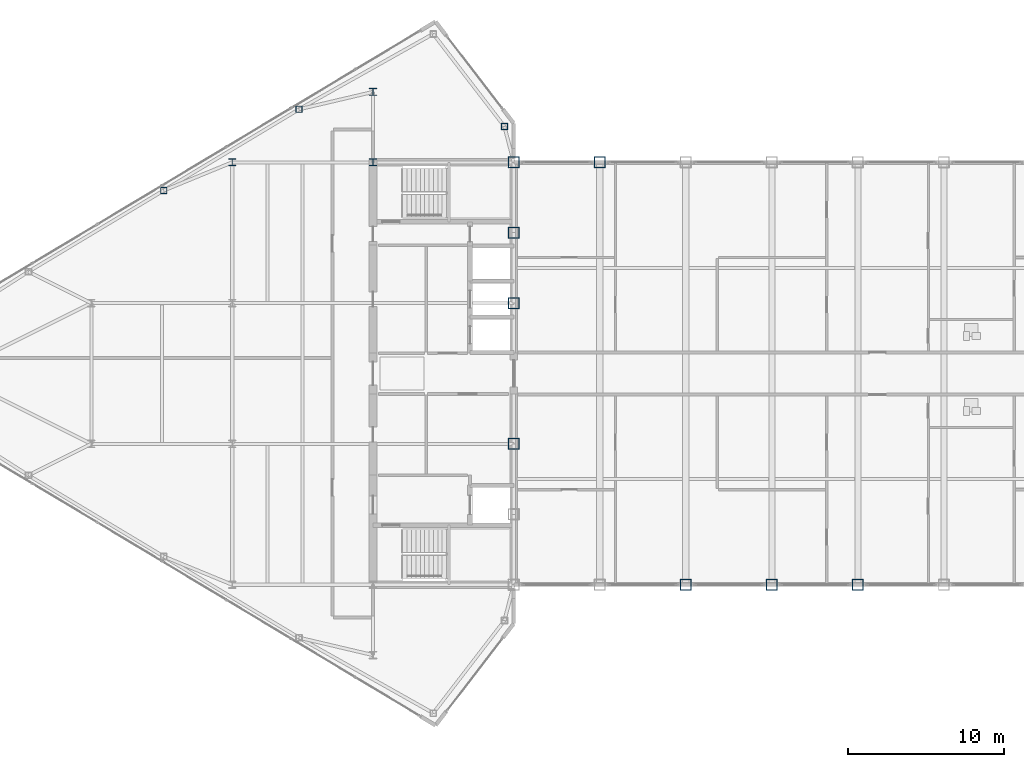
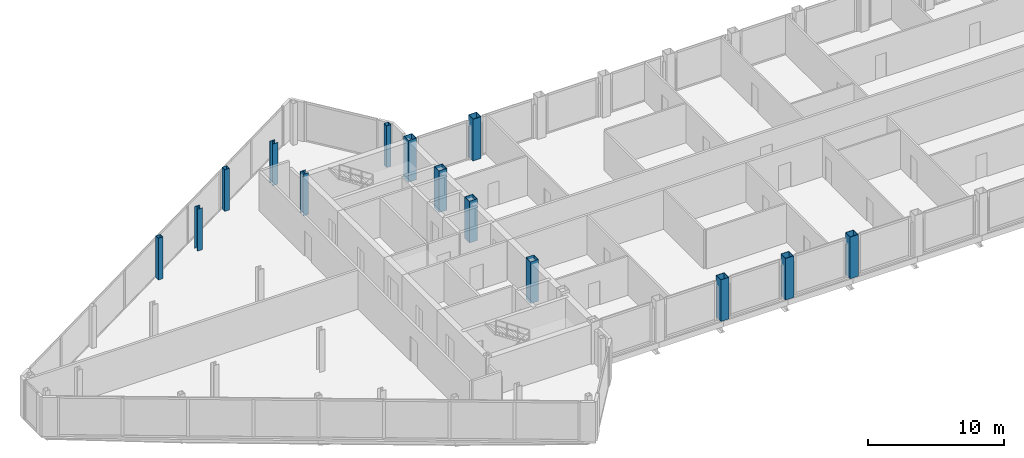
# One storey, part 2 of 28: 14 columns.
"""IFC4 building model written with IfcOpenShell, lengths in metres."""

from ifc_helpers import new_model, si_unit, direction, frame, origin, origin_2d, place, context, subcontext, project, spatial, hollow_rectangle, i_section, extrude, source, transform, mapped, material, material_profile, profile_set, type_object, type_shapes, element, save


model = new_model("IFC4")

# Units and contexts
model_context = context("Model", 3, precision=1e-05, world=origin(), true_north=direction((0.0, 1.0)))
body_context = subcontext(model_context, "Body", "Model", "MODEL_VIEW")
ifc_project = project(units=[si_unit("LENGTHUNIT", "METRE"), si_unit("AREAUNIT", "SQUARE_METRE"), si_unit("VOLUMEUNIT", "CUBIC_METRE"), si_unit("PLANEANGLEUNIT", "RADIAN"), si_unit("MASSUNIT", "GRAM", prefix="KILO")], contexts=[model_context])

# Site, building, storey
site_placement = place(None, origin())
site = spatial("IfcSite", under=ifc_project, at=site_placement, CompositionType="ELEMENT")
building_placement = place(site_placement, origin())
building = spatial("IfcBuilding", under=site, at=building_placement, Name="Seokmaru Belvedere", CompositionType="ELEMENT")
storey_placement = place(building_placement, frame((0.0, 0.0, 261.89990234375)))
storey = spatial("IfcBuildingStorey", under=building, at=storey_placement, Name="L69", CompositionType="ELEMENT", Elevation=261.89990234375)

# Columns
ifc_material = material(Name="Steel SM355 (355 MPa)", Category="steel")
ifc_material_profile_1 = material_profile(ifc_material, hollow_rectangle(XDim=0.699951171875, YDim=0.699951171875, WallThickness=0.030029296875, at=origin_2d()), Name="BOX-700x700x30")
ifc_profile_set_1 = profile_set([ifc_material_profile_1], Name="Steel SM355 (355 MPa)")
column_type_1 = type_object("IfcColumnType", Name="Upper Spine Column BOX-700", PredefinedType="COLUMN", material=ifc_profile_set_1)
shared_shape_1 = source(origin(), body_context, "Body", "SweptSolid", [
    extrude(hollow_rectangle(XDim=0.699951171875, YDim=0.699951171875, WallThickness=0.030029296875, at=origin_2d()), origin(), (0.0, 0.0, 1.0), 3.75),
])
type_shapes(column_type_1, [shared_shape_1])
for number, where, z_axis, x_axis, name in (
    (1, (-27.5, -4.5, 0.0), (0.0, 0.0, 1.0), (1.0, 0.0, 0.0), "L69 Column WS3"),
    (2, (-27.5, 4.5, 0.0), (0.0, 0.0, 1.0), (1.0, 0.0, 0.0), "L69 Column WS4"),
    (3, (-27.5, 9.0, 0.0), (0.0, 0.0, 1.0), (1.0, 0.0, 0.0), "L69 Column WS5"),
    (4, (-27.5, 13.5, 0.0), (0.0, 0.0, 1.0), (1.0, 0.0, 0.0), "L69 Column WS6"),
    (5, (-22.0, 13.5, 0.0), (0.0, 0.0, 1.0), (1.0, 0.0, 0.0), "L69 Column BRN_1"),
    (6, (-16.5, -13.5, 0.0), (0.0, 0.0, 1.0), (1.0, 0.0, 0.0), "L69 Column BRS_2"),
    (7, (-11.0, -13.5, 0.0), (0.0, 0.0, 1.0), (1.0, 0.0, 0.0), "L69 Column BRS_3"),
    (8, (-5.5, -13.5, 0.0), (0.0, 0.0, 1.0), (1.0, 0.0, 0.0), "L69 Column BRS_4"),
):
    element("IfcColumn", number, at=place(storey_placement, frame(where, z_axis=z_axis, x_axis=x_axis)), inside=storey, type_object=column_type_1, Name=name, PredefinedType="COLUMN", context=body_context, shape_type="MappedRepresentation", body=[
        mapped(shared_shape_1, transform((0.0, 0.0, 0.0), scale=1.0)),
    ])
ifc_material_profile_2 = material_profile(ifc_material, i_section(OverallWidth=0.449951171875, OverallDepth=0.449951171875, WebThickness=0.01611328125, FlangeThickness=0.02490234375, at=origin_2d()), Name="H-450x450x16x25")
ifc_profile_set_2 = profile_set([ifc_material_profile_2], Name="Steel SM355 (355 MPa)")
column_type_2 = type_object("IfcColumnType", Name="Sky-Gate Column H-450", PredefinedType="COLUMN", material=ifc_profile_set_2)
shared_shape_2 = source(origin(), body_context, "Body", "SweptSolid", [
    extrude(i_section(OverallWidth=0.449951171875, OverallDepth=0.449951171875, WebThickness=0.01611328125, FlangeThickness=0.02490234375, at=origin_2d()), origin(), (0.0, 0.0, 1.0), 3.75),
])
type_shapes(column_type_2, [shared_shape_2])
for number, where, z_axis, x_axis, name in (
    (9, (-36.5, 13.5, 0.0), (0.0, 0.0, 1.0), (1.0, 0.0, 0.0), "L69 Column WC3"),
    (10, (-36.5, 18.0, 0.0), (0.0, 0.0, 1.0), (1.0, 0.0, 0.0), "L69 Column WC4"),
    (11, (-45.5, 13.5, 0.0), (0.0, 0.0, 1.0), (1.0, 0.0, 0.0), "L69 Column WG5_4"),
):
    element("IfcColumn", number, at=place(storey_placement, frame(where, z_axis=z_axis, x_axis=x_axis)), inside=storey, type_object=column_type_2, Name=name, PredefinedType="COLUMN", context=body_context, shape_type="MappedRepresentation", body=[
        mapped(shared_shape_2, transform((0.0, 0.0, 0.0), scale=1.0)),
    ])
ifc_material_profile_3 = material_profile(ifc_material, hollow_rectangle(XDim=0.39990234375, YDim=0.39990234375, WallThickness=0.01611328125, at=origin_2d()), Name="HSS-400x400x16")
ifc_profile_set_3 = profile_set([ifc_material_profile_3], Name="Steel SM355 (355 MPa)")
column_type_3 = type_object("IfcColumnType", Name="Perimeter Facet Column HSS-400", PredefinedType="COLUMN", material=ifc_profile_set_3)
shared_shape_3 = source(origin(), body_context, "Body", "SweptSolid", [
    extrude(hollow_rectangle(XDim=0.39990234375, YDim=0.39990234375, WallThickness=0.01611328125, at=origin_2d()), origin(), (0.0, 0.0, 1.0), 3.75),
])
type_shapes(column_type_3, [shared_shape_3])
for number, where, z_axis, x_axis, name in (
    (12, (-28.10009765625, 15.7958984375, 0.0), (0.0, 0.0, 1.0), (1.0, 0.0, 0.0), "L69 Column WF2"),
    (13, (-41.229736328125, 16.888916015625, 0.0), (0.0, 0.0, 1.0), (1.0, 0.0, 0.0), "L69 Column WFLK_N1"),
    (14, (-49.8798828125, 11.698974609375, 0.0), (0.0, 0.0, 1.0), (1.0, 0.0, 0.0), "L69 Column WFLK_N2"),
):
    element("IfcColumn", number, at=place(storey_placement, frame(where, z_axis=z_axis, x_axis=x_axis)), inside=storey, type_object=column_type_3, Name=name, PredefinedType="COLUMN", context=body_context, shape_type="MappedRepresentation", body=[
        mapped(shared_shape_3, transform((0.0, 0.0, 0.0), scale=1.0)),
    ])

save(model, "model.ifc")
